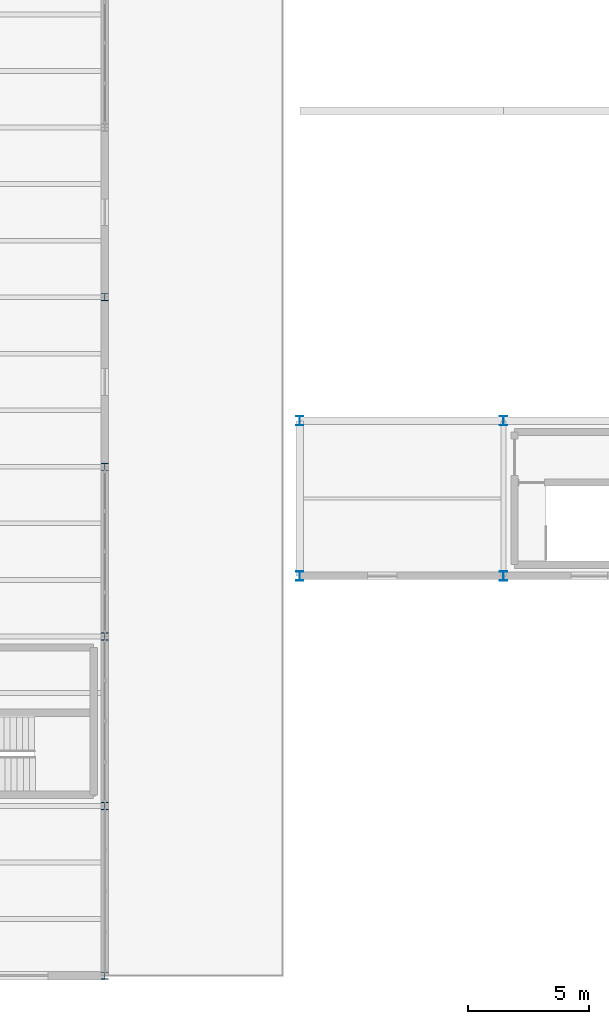
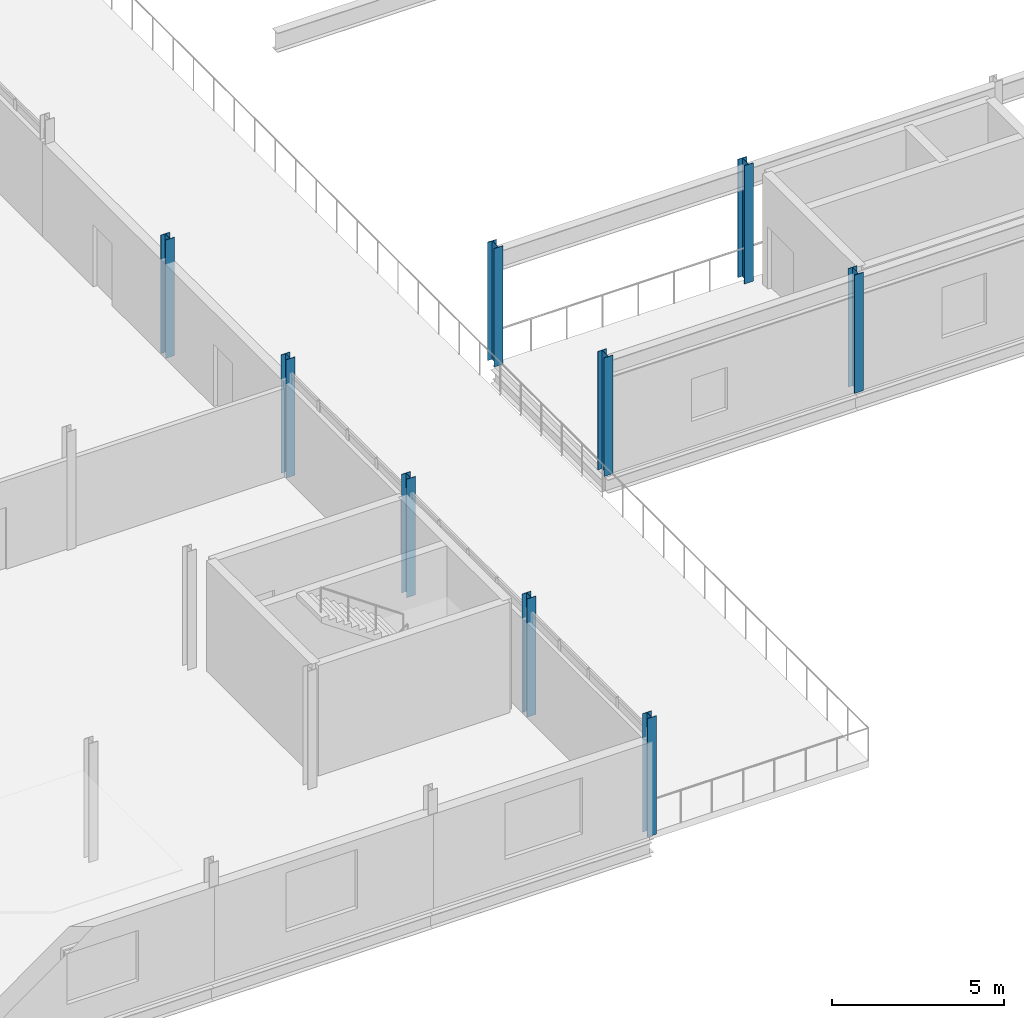
# One storey, part 3 of 39: 9 columns.
"""IFC4 building model written with IfcOpenShell, lengths in metres."""

from ifc_helpers import new_model, si_unit, direction, frame, origin, origin_2d, place, context, subcontext, project, spatial, i_section, extrude, material, material_profile, profile_set, type_object, element, save


model = new_model("IFC4")

# Units and contexts
model_context = context("Model", 3, precision=1e-05, world=origin(), true_north=direction((0.0, 1.0)))
body_context = subcontext(model_context, "Body", "Model", "MODEL_VIEW")
ifc_project = project(units=[si_unit("LENGTHUNIT", "METRE"), si_unit("AREAUNIT", "SQUARE_METRE"), si_unit("VOLUMEUNIT", "CUBIC_METRE"), si_unit("PLANEANGLEUNIT", "RADIAN"), si_unit("MASSUNIT", "GRAM", prefix="KILO")], contexts=[model_context])

# Site, building, storey
site_placement = place(None, origin())
site = spatial("IfcSite", under=ifc_project, at=site_placement, CompositionType="ELEMENT")
building_placement = place(site_placement, origin())
building = spatial("IfcBuilding", under=site, at=building_placement, Name="Kazenagashi Tramway Depot", CompositionType="ELEMENT")
storey_placement = place(building_placement, frame((0.0, 0.0, 11.1)))
storey = spatial("IfcBuildingStorey", under=building, at=storey_placement, Name="L03", CompositionType="ELEMENT", Elevation=11.1)

# Columns
ifc_material = material(Name="Steel SN490B", Category="steel")
ifc_material_profile_1 = material_profile(ifc_material, i_section(OverallWidth=0.3, OverallDepth=0.3, WebThickness=0.01, FlangeThickness=0.015, at=origin_2d()), Name="H-300x300x10x15")
ifc_profile_set_1 = profile_set([ifc_material_profile_1], Name="Steel SN490B")
column_type_1 = type_object("IfcColumnType", Name="C-05", PredefinedType="COLUMN", material=ifc_profile_set_1)
for number, where, z_axis, x_axis, name in (
    (1, (36.75, 0.0, 0.0), (0.0, 0.0, 1.0), (1.0, 0.0, 0.0), "Column C-05 COL-0750"),
    (2, (36.75, 7.0, 0.0), (0.0, 0.0, 1.0), (1.0, 0.0, 0.0), "Column C-05 COL-0754"),
    (3, (36.75, 14.0, 0.0), (0.0, 0.0, 1.0), (1.0, 0.0, 0.0), "Column C-05 COL-0758"),
    (4, (36.75, 21.0, 0.0), (0.0, 0.0, 1.0), (1.0, 0.0, 0.0), "Column C-05 COL-0762"),
    (5, (36.75, 28.0, 0.0), (0.0, 0.0, 1.0), (1.0, 0.0, 0.0), "Column C-05 COL-0766"),
):
    element("IfcColumn", number, at=place(storey_placement, frame(where, z_axis=z_axis, x_axis=x_axis)), inside=storey, type_object=column_type_1, Name=name, PredefinedType="COLUMN", context=body_context, shape_type="SweptSolid", body=[
        extrude(i_section(OverallWidth=0.3, OverallDepth=0.3, WebThickness=0.01, FlangeThickness=0.015, at=origin_2d()), origin(), (0.0, 0.0, 1.0), 4.2),
    ])
ifc_material_profile_2 = material_profile(ifc_material, i_section(OverallWidth=0.3, OverallDepth=0.39, WebThickness=0.01, FlangeThickness=0.016, at=origin_2d()), Name="H-390x300x10x16")
ifc_profile_set_2 = profile_set([ifc_material_profile_2], Name="Steel SN490B")
column_type_2 = type_object("IfcColumnType", Name="C-19", PredefinedType="COLUMN", material=ifc_profile_set_2)
for number, where, z_axis, x_axis, name in (
    (6, (44.8, 16.5, 0.0), (0.0, 0.0, 1.0), (1.0, 0.0, 0.0), "Column C-19 COL-0146"),
    (7, (44.8, 22.9, 0.0), (0.0, 0.0, 1.0), (1.0, 0.0, 0.0), "Column C-19 COL-0150"),
    (8, (53.2, 16.5, 0.0), (0.0, 0.0, 1.0), (1.0, 0.0, 0.0), "Column C-19 COL-0163"),
    (9, (53.2, 22.9, 0.0), (0.0, 0.0, 1.0), (1.0, 0.0, 0.0), "Column C-19 COL-0167"),
):
    element("IfcColumn", number, at=place(storey_placement, frame(where, z_axis=z_axis, x_axis=x_axis)), inside=storey, type_object=column_type_2, Name=name, PredefinedType="COLUMN", context=body_context, shape_type="SweptSolid", body=[
        extrude(i_section(OverallWidth=0.3, OverallDepth=0.39, WebThickness=0.01, FlangeThickness=0.016, at=origin_2d()), origin(), (0.0, 0.0, 1.0), 4.2),
    ])

save(model, "model.ifc")
